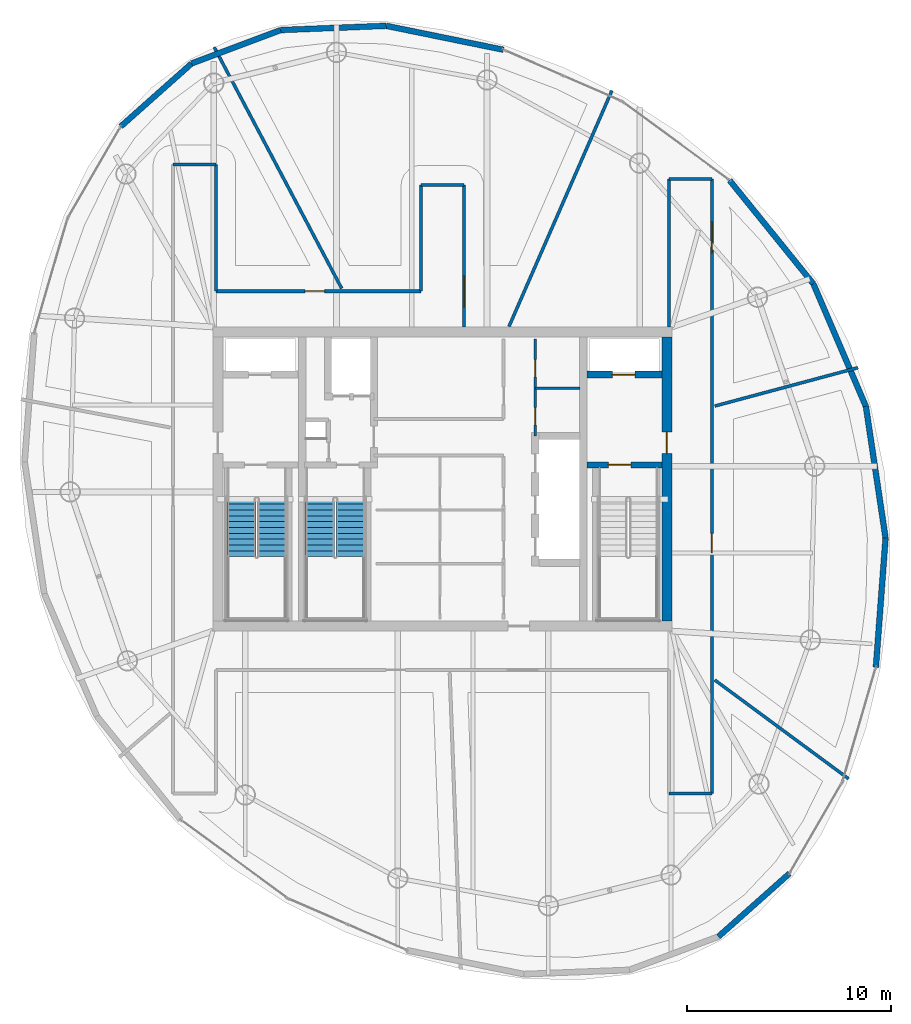
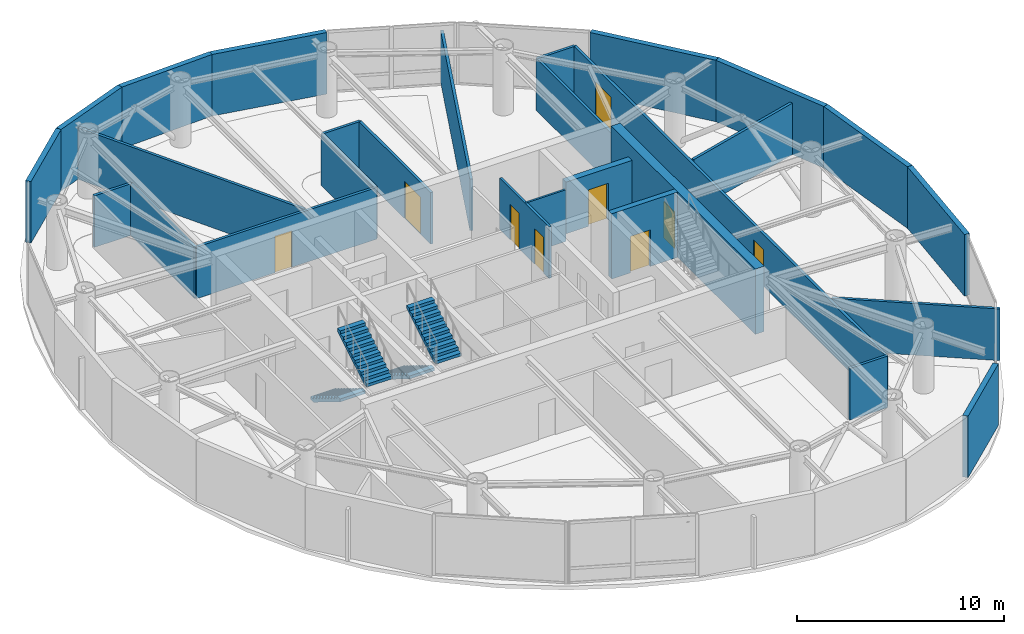
# One storey, part 16 of 20: 28 walls, 9 doors, 4 stair flights, 9 openings, 2 elements without a shape of their own.
"""IFC4 building model written with IfcOpenShell, lengths in metres."""

from ifc_helpers import new_model, si_unit, direction, frame, frame_2d, origin, place, context, subcontext, project, spatial, polyline, rectangle, outline, extrude, material, layer, layer_set, type_object, element, fill, aggregate, save


model = new_model("IFC4")

# Units and contexts
model_context = context("Model", 3, precision=1e-05, world=origin(), true_north=direction((0.0, 1.0)))
body_context = subcontext(model_context, "Body", "Model", "MODEL_VIEW")
ifc_project = project(units=[si_unit("LENGTHUNIT", "METRE"), si_unit("AREAUNIT", "SQUARE_METRE"), si_unit("VOLUMEUNIT", "CUBIC_METRE"), si_unit("PLANEANGLEUNIT", "RADIAN"), si_unit("MASSUNIT", "GRAM", prefix="KILO")], contexts=[model_context])

# Site, building, storey
site_placement = place(None, origin())
site = spatial("IfcSite", under=ifc_project, at=site_placement, CompositionType="ELEMENT")
building_placement = place(site_placement, origin())
building = spatial("IfcBuilding", under=site, at=building_placement, Name="Bramvorn Convention Spire", CompositionType="ELEMENT")
storey_placement = place(building_placement, frame((0.0, 0.0, 269.0)))
storey = spatial("IfcBuildingStorey", under=building, at=storey_placement, Name="L68", CompositionType="ELEMENT", Elevation=269.0)

# Wall, opening, door
ifc_material_1 = material(Name="Concrete C50/60", Category="concrete")
ifc_layer_1 = layer(ifc_material_1, 0.5)
ifc_layer_set_1 = layer_set([ifc_layer_1], Name="Concrete C50/60 - WL-CORE-500")
wall_type_1 = type_object("IfcWallType", Name="WL-CORE-500", PredefinedType="SHEAR", material=ifc_layer_set_1)
wall_1_placement = place(storey_placement, frame((49.0, 19.050048828125, 0.0), z_axis=(0.0, 0.0, 1.0), x_axis=(0.0, 1.0, 0.0)))
wall_1 = element("IfcWall", 1, at=wall_1_placement, inside=storey, type_object=wall_type_1, Name="L68 East RC core shear wall", PredefinedType="SHEAR", context=body_context, shape_type="SweptSolid", body=[
    extrude(rectangle(XDim=13.89990234375, YDim=0.5, at=frame_2d((6.949951171875, 0.0))), origin(), (0.0, 0.0, 1.0), 3.85009765625),
])
opening_1_placement = place(wall_1_placement, frame((8.199951171875, 0.0, 0.0)))
opening_1 = element("IfcOpeningElement", 2, at=opening_1_placement, cuts=wall_1, Name="Opening DL-105", PredefinedType="OPENING", context=body_context, shape_type="SweptSolid", body=[
    extrude(rectangle(XDim=1.050048828125, YDim=2.14990234375, at=frame_2d((0.52490234375, 1.074951171875))), frame((0.0, 0.260009765625, 0.0), z_axis=(0.0, -1.0, 0.0), x_axis=(1.0, 0.0, 0.0)), (0.0, 0.0, 1.0), 0.52001953125),
])
ifc_material_2 = material(Name="Smoke-Sealed Fire Lobby Timber-Core Door", Category="wood")
door_type_1 = type_object("IfcDoorType", Name="DR-LOBBY-1050", OperationType="NOTDEFINED", PredefinedType="DOOR", material=ifc_material_2)
door_1_placement = place(opening_1_placement, origin())
door_1 = element("IfcDoor", 3, at=door_1_placement, inside=storey, type_object=door_type_1, Name="L68 East Firefighting Lobby corridor door", OperationType="SINGLE_SWING_LEFT", OverallHeight=2.14990234375, OverallWidth=1.050048828125, PredefinedType="DOOR", context=body_context, shape_type="SweptSolid", body=[
    extrude(rectangle(XDim=1.050048828125, YDim=2.14990234375, at=frame_2d((0.52490234375, 1.074951171875))), frame((0.0, 0.02490234375, 0.0), z_axis=(0.0, -1.0, 0.0), x_axis=(1.0, 0.0, 0.0)), (0.0, 0.0, 1.0), 0.050048828125),
])
fill(opening_1, door_1)

ifc_layer_2 = layer(ifc_material_1, 0.35009765625)
ifc_layer_set_2 = layer_set([ifc_layer_2], Name="Concrete C50/60 - WL-CORE-INT-350")
wall_type_2 = type_object("IfcWallType", Name="WL-CORE-INT-350", PredefinedType="SHEAR", material=ifc_layer_set_2)
wall_2_placement = place(storey_placement, frame((45.080078125, 31.1201171875, 0.0), z_axis=(0.0, 0.0, 1.0), x_axis=(1.0, 0.0, 0.0)))
wall_2 = element("IfcWall", 4, at=wall_2_placement, inside=storey, type_object=wall_type_2, Name="L68 FE2 shaft front wall", PredefinedType="SHEAR", context=body_context, shape_type="SweptSolid", body=[
    extrude(rectangle(XDim=3.669921875, YDim=0.35009765625, at=frame_2d((1.8349609375, 0.0))), origin(), (0.0, 0.0, 1.0), 3.0400390625),
])
opening_2_placement = place(wall_2_placement, frame((1.25, 0.0, 0.0)))
opening_2 = element("IfcOpeningElement", 5, at=opening_2_placement, cuts=wall_2, Name="Opening LD-110", PredefinedType="OPENING", context=body_context, shape_type="SweptSolid", body=[
    extrude(rectangle(XDim=1.10009765625, YDim=2.14990234375, at=frame_2d((0.550048828125, 1.074951171875))), frame((0.0, 0.18505859375, 0.0), z_axis=(0.0, -1.0, 0.0), x_axis=(1.0, 0.0, 0.0)), (0.0, 0.0, 1.0), 0.3701171875),
])
ifc_material_3 = material(Name="Firefighting & Service Lift Sliding Landing Door", Category="steel")
door_type_2 = type_object("IfcDoorType", Name="DR-LIFT-LD-1100", OperationType="NOTDEFINED", PredefinedType="DOOR", material=ifc_material_3)
door_2_placement = place(opening_2_placement, origin())
door_2 = element("IfcDoor", 6, at=door_2_placement, inside=storey, type_object=door_type_2, Name="L68 Lift FE2 Sliding Landing Door", OperationType="SLIDING_TO_LEFT", OverallHeight=2.14990234375, OverallWidth=1.10009765625, PredefinedType="DOOR", context=body_context, shape_type="SweptSolid", body=[
    extrude(rectangle(XDim=1.10009765625, YDim=2.14990234375, at=frame_2d((0.550048828125, 1.074951171875))), frame((0.0, 0.02490234375, 0.0), z_axis=(0.0, -1.0, 0.0), x_axis=(1.0, 0.0, 0.0)), (0.0, 0.0, 1.0), 0.050048828125),
])
fill(opening_2, door_2)

# Walls
ifc_material_4 = material(Name="Precast Concrete C40/50 with Bronze Terracotta Rainscreen", Category="masonry")
ifc_layer_3 = layer(ifc_material_4, 0.300048828125)
ifc_layer_set_3 = layer_set([ifc_layer_3], Name="Precast Concrete C40/50 with Bronze Terracotta Rainscreen - WL-EXT-BRONZE-300")
wall_type_3 = type_object("IfcWallType", Name="WL-EXT-BRONZE-300", PredefinedType="SOLIDWALL", material=ifc_layer_set_3)
wall_3_placement = place(storey_placement, frame((54.998046875, 6.67333984375, 0.0), z_axis=(0.0, 0.0, 1.0), x_axis=(-0.747287659095, -0.664500680634, 0.0)))
element("IfcWall", 7, at=wall_3_placement, inside=storey, type_object=wall_type_3, Name="L68 expressed bronze Gothic lancet pier wall 01", PredefinedType="SOLIDWALL", context=body_context, shape_type="SweptSolid", body=[
    extrude(rectangle(XDim=4.650634765625, YDim=0.280029296875, at=frame_2d((2.3251953125, 0.0))), origin(), (0.0, 0.0, 1.0), 3.625),
])
wall_4_placement = place(storey_placement, frame((59.708984375, 23.107666015625, 0.0), z_axis=(0.0, 0.0, 1.0), x_axis=(-0.074604383592, -0.997213209875, 0.0)))
element("IfcWall", 8, at=wall_4_placement, inside=storey, type_object=wall_type_3, Name="L68 expressed bronze Gothic lancet pier wall 04", PredefinedType="SOLIDWALL", context=body_context, shape_type="SweptSolid", body=[
    extrude(rectangle(XDim=6.34521484375, YDim=0.280029296875, at=frame_2d((3.172607421875, 0.0))), origin(), (0.0, 0.0, 1.0), 3.625),
])
wall_5_placement = place(storey_placement, frame((58.7451171875, 29.562255859375, 0.0), z_axis=(0.0, 0.0, 1.0), x_axis=(0.147692842874, -0.989033277582, 0.0)))
element("IfcWall", 9, at=wall_5_placement, inside=storey, type_object=wall_type_3, Name="L68 expressed bronze Gothic lancet pier wall 05", PredefinedType="SOLIDWALL", context=body_context, shape_type="SweptSolid", body=[
    extrude(rectangle(XDim=6.526123046875, YDim=0.280029296875, at=frame_2d((3.26318359375, 0.0))), origin(), (0.0, 0.0, 1.0), 3.625),
])
for number, where, z_axis, x_axis, name in (
    (10, (56.171875, 35.560546875, 0.0), (0.0, 0.0, 1.0), (0.394248824312, -0.919003734774, 0.0), "L68 expressed bronze Gothic lancet pier wall 06"),
    (11, (52.066162109375, 40.63427734375, 0.0), (0.0, 0.0, 1.0), (0.629050798101, -0.777364196119, 0.0), "L68 expressed bronze Gothic lancet pier wall 07"),
):
    element("IfcWall", number, at=place(storey_placement, frame(where, z_axis=z_axis, x_axis=x_axis)), inside=storey, type_object=wall_type_3, Name=name, PredefinedType="SOLIDWALL", context=body_context, shape_type="SweptSolid", body=[
        extrude(rectangle(XDim=6.52685546875, YDim=0.280029296875, at=frame_2d((3.263427734375, 0.0))), origin(), (0.0, 0.0, 1.0), 3.625),
    ])
wall_6_placement = place(storey_placement, frame((35.246337890625, 48.2021484375, 0.0), z_axis=(0.0, 0.0, 1.0), x_axis=(0.979774562946, -0.200104487215, 0.0)))
element("IfcWall", 12, at=wall_6_placement, inside=storey, type_object=wall_type_3, Name="L68 expressed bronze Gothic lancet pier wall 10", PredefinedType="SOLIDWALL", context=body_context, shape_type="SweptSolid", body=[
    extrude(rectangle(XDim=5.85986328125, YDim=0.280029296875, at=frame_2d((2.929931640625, 0.0))), origin(), (0.0, 0.0, 1.0), 3.625),
])
wall_7_placement = place(storey_placement, frame((30.0712890625, 47.994873046875, 0.0), z_axis=(0.0, 0.0, 1.0), x_axis=(0.999198848892, 0.04002074929, 0.0)))
element("IfcWall", 13, at=wall_7_placement, inside=storey, type_object=wall_type_3, Name="L68 expressed bronze Gothic lancet pier wall 11", PredefinedType="SOLIDWALL", context=body_context, shape_type="SweptSolid", body=[
    extrude(rectangle(XDim=5.17919921875, YDim=0.280029296875, at=frame_2d((2.589599609375, 0.0))), origin(), (0.0, 0.0, 1.0), 3.625),
])
for number, where, z_axis, x_axis, name in (
    (14, (25.716796875, 46.362060546875, 0.0), (0.0, 0.0, 1.0), (0.936337806942, 0.351100429066, 0.0), "L68 expressed bronze Gothic lancet pier wall 12"),
    (15, (22.24169921875, 43.271484375, 0.0), (0.0, 0.0, 1.0), (0.747238408062, 0.664556063486, 0.0), "L68 expressed bronze Gothic lancet pier wall 13"),
):
    element("IfcWall", number, at=place(storey_placement, frame(where, z_axis=z_axis, x_axis=x_axis)), inside=storey, type_object=wall_type_3, Name=name, PredefinedType="SOLIDWALL", context=body_context, shape_type="SweptSolid", body=[
        extrude(rectangle(XDim=4.650634765625, YDim=0.280029296875, at=frame_2d((2.3251953125, 0.0))), origin(), (0.0, 0.0, 1.0), 3.625),
    ])
ifc_material_5 = material(Name="Lightweight En-Suite & Wet-Wall Partition", Category="gypsum")
ifc_layer_4 = layer(ifc_material_5, 0.110107421875)
ifc_layer_set_4 = layer_set([ifc_layer_4], Name="Lightweight En-Suite & Wet-Wall Partition - WL-PART-110")
wall_type_4 = type_object("IfcWallType", Name="WL-PART-110", PredefinedType="PARTITIONING", material=ifc_layer_set_4)
wall_8_placement = place(storey_placement, frame((42.550048828125, 30.449951171875, 0.0), z_axis=(0.0, 0.0, 1.0), x_axis=(1.0, 0.0, 0.0)))
element("IfcWall", 16, at=wall_8_placement, inside=storey, type_object=wall_type_4, Name="L68 KB NE divider", PredefinedType="PARTITIONING", context=body_context, shape_type="SweptSolid", body=[
    extrude(rectangle(XDim=2.199951171875, YDim=0.110107421875, at=frame_2d((1.10009765625, 0.0))), origin(), (0.0, 0.0, 1.0), 3.0400390625),
])

# Wall, openings, doors
ifc_material_6 = material(Name="Metal-Stud Demountable Office Partition", Category="gypsum")
ifc_layer_5 = layer(ifc_material_6, 0.1298828125)
ifc_layer_set_5 = layer_set([ifc_layer_5], Name="Metal-Stud Demountable Office Partition - WL-PART-130")
wall_type_5 = type_object("IfcWallType", Name="WL-PART-130", PredefinedType="PARTITIONING", material=ifc_layer_set_5)
wall_9_placement = place(storey_placement, frame((42.550048828125, 28.10009765625, 0.0), z_axis=(0.0, 0.0, 1.0), x_axis=(0.0, 1.0, 0.0)))
wall_9 = element("IfcWall", 17, at=wall_9_placement, inside=storey, type_object=wall_type_5, Name="L68 KB NE split wall", PredefinedType="PARTITIONING", context=body_context, shape_type="SweptSolid", body=[
    extrude(rectangle(XDim=4.75, YDim=0.1298828125, at=frame_2d((2.375, 0.0))), origin(), (0.0, 0.0, 1.0), 3.0400390625),
])
opening_3_placement = place(wall_9_placement, frame((0.550048828125, 0.0, 0.0)))
opening_3 = element("IfcOpeningElement", 18, at=opening_3_placement, cuts=wall_9, Name="Opening DC-085", PredefinedType="OPENING", context=body_context, shape_type="SweptSolid", body=[
    extrude(rectangle(XDim=0.85009765625, YDim=2.10009765625, at=frame_2d((0.425048828125, 1.050048828125))), frame((0.0, 0.074951171875, 0.0), z_axis=(0.0, -1.0, 0.0), x_axis=(1.0, 0.0, 0.0)), (0.0, 0.0, 1.0), 0.14990234375),
])
opening_4_placement = place(wall_9_placement, frame((2.89990234375, 0.0, 0.0)))
opening_4 = element("IfcOpeningElement", 19, at=opening_4_placement, cuts=wall_9, Name="Opening DC-085", PredefinedType="OPENING", context=body_context, shape_type="SweptSolid", body=[
    extrude(rectangle(XDim=0.85009765625, YDim=2.10009765625, at=frame_2d((0.425048828125, 1.050048828125))), frame((0.0, 0.074951171875, 0.0), z_axis=(0.0, -1.0, 0.0), x_axis=(1.0, 0.0, 0.0)), (0.0, 0.0, 1.0), 0.14990234375),
])
ifc_material_7 = material(Name="Fire-Rated Core Washroom & IDF Door", Category="wood")
door_type_3 = type_object("IfcDoorType", Name="DR-CORE-850", OperationType="NOTDEFINED", PredefinedType="DOOR", material=ifc_material_7)
door_3_placement = place(opening_3_placement, origin())
door_3 = element("IfcDoor", 20, at=door_3_placement, inside=storey, type_object=door_type_3, Name="L68 Core Staff WC door", OperationType="SINGLE_SWING_LEFT", OverallHeight=2.10009765625, OverallWidth=0.85009765625, PredefinedType="DOOR", context=body_context, shape_type="SweptSolid", body=[
    extrude(rectangle(XDim=0.85009765625, YDim=2.10009765625, at=frame_2d((0.425048828125, 1.050048828125))), frame((0.0, 0.02490234375, 0.0), z_axis=(0.0, -1.0, 0.0), x_axis=(1.0, 0.0, 0.0)), (0.0, 0.0, 1.0), 0.050048828125),
])
fill(opening_3, door_3)
door_4_placement = place(opening_4_placement, origin())
door_4 = element("IfcDoor", 21, at=door_4_placement, inside=storey, type_object=door_type_3, Name="L68 Core Data Closet door", OperationType="SINGLE_SWING_LEFT", OverallHeight=2.10009765625, OverallWidth=0.85009765625, PredefinedType="DOOR", context=body_context, shape_type="SweptSolid", body=[
    extrude(rectangle(XDim=0.85009765625, YDim=2.10009765625, at=frame_2d((0.425048828125, 1.050048828125))), frame((0.0, 0.02490234375, 0.0), z_axis=(0.0, -1.0, 0.0), x_axis=(1.0, 0.0, 0.0)), (0.0, 0.0, 1.0), 0.050048828125),
])
fill(opening_4, door_4)

# Wall, opening, door
ifc_material_8 = material(Name="Acoustic Metal-Stud Tenant/Corridor Partition", Category="gypsum")
ifc_layer_6 = layer(ifc_material_8, 0.14990234375)
ifc_layer_set_6 = layer_set([ifc_layer_6], Name="Acoustic Metal-Stud Tenant/Corridor Partition - WL-PART-150")
wall_type_6 = type_object("IfcWallType", Name="WL-PART-150", PredefinedType="PARTITIONING", material=ifc_layer_set_6)
wall_10_placement = place(storey_placement, frame((26.89990234375, 35.199951171875, 0.0), z_axis=(0.0, 0.0, 1.0), x_axis=(1.0, 0.0, 0.0)))
wall_10 = element("IfcWall", 22, at=wall_10_placement, inside=storey, type_object=wall_type_6, Name="L68 North-west spur link wall", PredefinedType="PARTITIONING", context=body_context, shape_type="SweptSolid", body=[
    extrude(rectangle(XDim=10.050048828125, YDim=0.14990234375, at=frame_2d((5.02490234375, 0.0))), origin(), (0.0, 0.0, 1.0), 3.0400390625),
])
opening_5_placement = place(wall_10_placement, frame((4.3779296875, 0.0, 0.0)))
opening_5 = element("IfcOpeningElement", 23, at=opening_5_placement, cuts=wall_10, Name="Opening DH-095", PredefinedType="OPENING", context=body_context, shape_type="SweptSolid", body=[
    extrude(rectangle(XDim=0.949951171875, YDim=2.14990234375, at=frame_2d((0.47509765625, 1.074951171875))), frame((0.0, 0.0849609375, 0.0), z_axis=(0.0, -1.0, 0.0), x_axis=(1.0, 0.0, 0.0)), (0.0, 0.0, 1.0), 0.169921875),
])
ifc_material_9 = material(Name="Solid-Core Acoustic Guestroom Entry Door", Category="wood")
door_type_4 = type_object("IfcDoorType", Name="DR-HOTEL-950", OperationType="NOTDEFINED", PredefinedType="DOOR", material=ifc_material_9)
door_5_placement = place(opening_5_placement, origin())
door_5 = element("IfcDoor", 24, at=door_5_placement, inside=storey, type_object=door_type_4, Name="L68 Butler Catering Kitchen 3 door", OperationType="SINGLE_SWING_LEFT", OverallHeight=2.14990234375, OverallWidth=0.949951171875, PredefinedType="DOOR", context=body_context, shape_type="SweptSolid", body=[
    extrude(rectangle(XDim=0.949951171875, YDim=2.14990234375, at=frame_2d((0.47509765625, 1.074951171875))), frame((0.0, 0.02490234375, 0.0), z_axis=(0.0, -1.0, 0.0), x_axis=(1.0, 0.0, 0.0)), (0.0, 0.0, 1.0), 0.050048828125),
])
fill(opening_5, door_5)

# Walls
wall_11_placement = place(storey_placement, frame((26.89990234375, 35.199951171875, 0.0), z_axis=(0.0, 0.0, 1.0), x_axis=(0.0, 1.0, 0.0)))
element("IfcWall", 25, at=wall_11_placement, inside=storey, type_object=wall_type_6, Name="L68 West gallery NE wall", PredefinedType="PARTITIONING", context=body_context, shape_type="SweptSolid", body=[
    extrude(rectangle(XDim=6.199951171875, YDim=0.14990234375, at=frame_2d((3.10009765625, 0.0))), origin(), (0.0, 0.0, 1.0), 3.0400390625),
])
wall_12_placement = place(storey_placement, frame((24.800048828125, 41.39990234375, 0.0), z_axis=(0.0, 0.0, 1.0), x_axis=(1.0, 0.0, 0.0)))
element("IfcWall", 26, at=wall_12_placement, inside=storey, type_object=wall_type_6, Name="L68 West gallery north end", PredefinedType="PARTITIONING", context=body_context, shape_type="SweptSolid", body=[
    extrude(rectangle(XDim=2.099853515625, YDim=0.14990234375, at=frame_2d((1.0498046875, 0.0))), origin(), (0.0, 0.0, 1.0), 3.0400390625),
])

# Wall, openings, doors
wall_13_placement = place(storey_placement, frame((51.199951171875, 10.60009765625, 0.0), z_axis=(0.0, 0.0, 1.0), x_axis=(0.0, 1.0, 0.0)))
wall_13 = element("IfcWall", 27, at=wall_13_placement, inside=storey, type_object=wall_type_6, Name="L68 East N-S gallery outer wall", PredefinedType="PARTITIONING", context=body_context, shape_type="SweptSolid", body=[
    extrude(rectangle(XDim=30.103515625, YDim=0.14990234375, at=frame_2d((15.0517578125, 0.0))), origin(), (0.0, 0.0, 1.0), 3.0400390625),
])
opening_6_placement = place(wall_13_placement, frame((26.49609375, 0.0, 0.0)))
opening_6 = element("IfcOpeningElement", 28, at=opening_6_placement, cuts=wall_13, Name="Opening DC-150", PredefinedType="OPENING", context=body_context, shape_type="SweptSolid", body=[
    extrude(rectangle(XDim=1.5, YDim=2.199951171875, at=frame_2d((0.75, 1.10009765625))), frame((0.0, 0.0849609375, 0.0), z_axis=(0.0, -1.0, 0.0), x_axis=(1.0, 0.0, 0.0)), (0.0, 0.0, 1.0), 0.169921875),
])
opening_7_placement = place(wall_13_placement, frame((11.787841796875, 0.0, 0.0)))
opening_7 = element("IfcOpeningElement", 29, at=opening_7_placement, cuts=wall_13, Name="Opening DH-095", PredefinedType="OPENING", context=body_context, shape_type="SweptSolid", body=[
    extrude(rectangle(XDim=0.949951171875, YDim=2.14990234375, at=frame_2d((0.47509765625, 1.074951171875))), frame((0.0, 0.0849609375, 0.0), z_axis=(0.0, -1.0, 0.0), x_axis=(1.0, 0.0, 0.0)), (0.0, 0.0, 1.0), 0.169921875),
])
ifc_material_10 = material(Name="Double-Leaf Smoke-Control Corridor Door", Category="wood")
door_type_5 = type_object("IfcDoorType", Name="DR-COR-1500", OperationType="NOTDEFINED", PredefinedType="DOOR", material=ifc_material_10)
door_6_placement = place(opening_6_placement, origin())
door_6 = element("IfcDoor", 30, at=door_6_placement, inside=storey, type_object=door_type_5, Name="L68 Executive Dining Salon 1 1 door", OperationType="DOUBLE_DOOR_SINGLE_SWING", OverallHeight=2.199951171875, OverallWidth=1.5, PredefinedType="DOOR", context=body_context, shape_type="SweptSolid", body=[
    extrude(rectangle(XDim=1.5, YDim=2.199951171875, at=frame_2d((0.75, 1.10009765625))), frame((0.0, 0.02490234375, 0.0), z_axis=(0.0, -1.0, 0.0), x_axis=(1.0, 0.0, 0.0)), (0.0, 0.0, 1.0), 0.050048828125),
])
fill(opening_6, door_6)
door_7_placement = place(opening_7_placement, origin())
door_7 = element("IfcDoor", 31, at=door_7_placement, inside=storey, type_object=door_type_4, Name="L68 Executive Strategy Suite 7 door", OperationType="SINGLE_SWING_RIGHT", OverallHeight=2.14990234375, OverallWidth=0.949951171875, PredefinedType="DOOR", context=body_context, shape_type="SweptSolid", body=[
    extrude(rectangle(XDim=0.949951171875, YDim=2.14990234375, at=frame_2d((0.47509765625, 1.074951171875))), frame((0.0, 0.02490234375, 0.0), z_axis=(0.0, -1.0, 0.0), x_axis=(1.0, 0.0, 0.0)), (0.0, 0.0, 1.0), 0.050048828125),
])
fill(opening_7, door_7)

# Walls
wall_14_placement = place(storey_placement, frame((49.10009765625, 33.449951171875, 0.0), z_axis=(0.0, 0.0, 1.0), x_axis=(0.0, 1.0, 0.0)))
element("IfcWall", 32, at=wall_14_placement, inside=storey, type_object=wall_type_6, Name="L68 East gallery NW wall", PredefinedType="PARTITIONING", context=body_context, shape_type="SweptSolid", body=[
    extrude(rectangle(XDim=7.253662109375, YDim=0.14990234375, at=frame_2d((3.626953125, 0.0))), origin(), (0.0, 0.0, 1.0), 3.0400390625),
])
for number, where, z_axis, x_axis, name in (
    (33, (49.10009765625, 10.60009765625, 0.0), (0.0, 0.0, 1.0), (1.0, 0.0, 0.0), "L68 East gallery south end"),
    (34, (49.10009765625, 40.70361328125, 0.0), (0.0, 0.0, 1.0), (1.0, 0.0, 0.0), "L68 East gallery north end"),
):
    element("IfcWall", number, at=place(storey_placement, frame(where, z_axis=z_axis, x_axis=x_axis)), inside=storey, type_object=wall_type_6, Name=name, PredefinedType="PARTITIONING", context=body_context, shape_type="SweptSolid", body=[
        extrude(rectangle(XDim=2.099853515625, YDim=0.14990234375, at=frame_2d((1.0498046875, 0.0))), origin(), (0.0, 0.0, 1.0), 3.0400390625),
    ])
wall_15_placement = place(storey_placement, frame((36.949951171875, 35.199951171875, 0.0), z_axis=(0.0, 0.0, 1.0), x_axis=(0.0, 1.0, 0.0)))
element("IfcWall", 35, at=wall_15_placement, inside=storey, type_object=wall_type_6, Name="L68 North spur west wall", PredefinedType="PARTITIONING", context=body_context, shape_type="SweptSolid", body=[
    extrude(rectangle(XDim=5.199951171875, YDim=0.14990234375, at=frame_2d((2.60009765625, 0.0))), origin(), (0.0, 0.0, 1.0), 3.0400390625),
])

# Wall, opening, door
wall_16_placement = place(storey_placement, frame((39.050048828125, 33.449951171875, 0.0), z_axis=(0.0, 0.0, 1.0), x_axis=(0.0, 1.0, 0.0)))
wall_16 = element("IfcWall", 36, at=wall_16_placement, inside=storey, type_object=wall_type_6, Name="L68 North spur east wall", PredefinedType="PARTITIONING", context=body_context, shape_type="SweptSolid", body=[
    extrude(rectangle(XDim=6.949951171875, YDim=0.14990234375, at=frame_2d((3.47509765625, 0.0))), origin(), (0.0, 0.0, 1.0), 3.0400390625),
])
opening_8_placement = place(wall_16_placement, frame((0.987548828125, 0.0, 0.0)))
opening_8 = element("IfcOpeningElement", 37, at=opening_8_placement, cuts=wall_16, Name="Opening DC-150", PredefinedType="OPENING", context=body_context, shape_type="SweptSolid", body=[
    extrude(rectangle(XDim=1.5, YDim=2.199951171875, at=frame_2d((0.75, 1.10009765625))), frame((0.0, 0.0849609375, 0.0), z_axis=(0.0, -1.0, 0.0), x_axis=(1.0, 0.0, 0.0)), (0.0, 0.0, 1.0), 0.169921875),
])
door_8_placement = place(opening_8_placement, origin())
door_8 = element("IfcDoor", 38, at=door_8_placement, inside=storey, type_object=door_type_5, Name="L68 Executive Dining Salon 2 2 door", OperationType="DOUBLE_DOOR_SINGLE_SWING", OverallHeight=2.199951171875, OverallWidth=1.5, PredefinedType="DOOR", context=body_context, shape_type="SweptSolid", body=[
    extrude(rectangle(XDim=1.5, YDim=2.199951171875, at=frame_2d((0.75, 1.10009765625))), frame((0.0, 0.02490234375, 0.0), z_axis=(0.0, -1.0, 0.0), x_axis=(1.0, 0.0, 0.0)), (0.0, 0.0, 1.0), 0.050048828125),
])
fill(opening_8, door_8)

# Walls
wall_17_placement = place(storey_placement, frame((36.949951171875, 40.39990234375, 0.0), z_axis=(0.0, 0.0, 1.0), x_axis=(1.0, 0.0, 0.0)))
element("IfcWall", 39, at=wall_17_placement, inside=storey, type_object=wall_type_6, Name="L68 North spur end wall", PredefinedType="PARTITIONING", context=body_context, shape_type="SweptSolid", body=[
    extrude(rectangle(XDim=2.10009765625, YDim=0.14990234375, at=frame_2d((1.050048828125, 0.0))), origin(), (0.0, 0.0, 1.0), 3.0400390625),
])
wall_18_placement = place(storey_placement, frame((51.340087890625, 29.574462890625, 0.0), z_axis=(0.0, 0.0, 1.0), x_axis=(0.96592722136, 0.258813838569, 0.0)))
element("IfcWall", 40, at=wall_18_placement, inside=storey, type_object=wall_type_6, Name="L68 Tenant suite partition 1", PredefinedType="PARTITIONING", context=body_context, shape_type="SweptSolid", body=[
    extrude(rectangle(XDim=7.27197265625, YDim=0.14990234375, at=frame_2d((3.635986328125, 0.0))), origin(), (0.0, 0.0, 1.0), 3.0400390625),
])
wall_19_placement = place(storey_placement, frame((41.259033203125, 33.469970703125, 0.0), z_axis=(0.0, 0.0, 1.0), x_axis=(0.399896869604, 0.916560141879, 0.0)))
element("IfcWall", 41, at=wall_19_placement, inside=storey, type_object=wall_type_6, Name="L68 Tenant suite partition 2", PredefinedType="PARTITIONING", context=body_context, shape_type="SweptSolid", body=[
    extrude(rectangle(XDim=12.6162109375, YDim=0.14990234375, at=frame_2d((6.30810546875, 0.0))), origin(), (0.0, 0.0, 1.0), 3.0400390625),
])
wall_20_placement = place(storey_placement, frame((33.063720703125, 35.340087890625, 0.0), z_axis=(0.0, 0.0, 1.0), x_axis=(-0.467283891031, 0.884107326733, 0.0)))
element("IfcWall", 42, at=wall_20_placement, inside=storey, type_object=wall_type_6, Name="L68 Tenant suite partition 3", PredefinedType="PARTITIONING", context=body_context, shape_type="SweptSolid", body=[
    extrude(rectangle(XDim=13.377685546875, YDim=0.14990234375, at=frame_2d((6.68896484375, 0.0))), origin(), (0.0, 0.0, 1.0), 3.0400390625),
])
wall_21_placement = place(storey_placement, frame((51.340087890625, 16.154541015625, 0.0), z_axis=(0.0, 0.0, 1.0), x_axis=(0.804595515119, -0.593823254049, 0.0)))
element("IfcWall", 43, at=wall_21_placement, inside=storey, type_object=wall_type_6, Name="L68 Tenant suite partition 7", PredefinedType="PARTITIONING", context=body_context, shape_type="SweptSolid", body=[
    extrude(rectangle(XDim=8.16259765625, YDim=0.14990234375, at=frame_2d((4.081298828125, 0.0))), origin(), (0.0, 0.0, 1.0), 3.0400390625),
])

# Wall, opening, door
ifc_layer_7 = layer(ifc_material_1, 0.300048828125)
ifc_layer_set_7 = layer_set([ifc_layer_7], Name="Concrete C50/60 - WL-POD-STAIR-300")
wall_type_7 = type_object("IfcWallType", Name="WL-POD-STAIR-300", PredefinedType="SHEAR", material=ifc_layer_set_7)
wall_22_placement = place(storey_placement, frame((45.080078125, 26.68994140625, 0.0), z_axis=(0.0, 0.0, 1.0), x_axis=(1.0, 0.0, 0.0)))
wall_22 = element("IfcWall", 44, at=wall_22_placement, inside=storey, type_object=wall_type_7, Name="L68 ST2 north fire wall", PredefinedType="SHEAR", context=body_context, shape_type="SweptSolid", body=[
    extrude(rectangle(XDim=3.669921875, YDim=0.300048828125, at=frame_2d((1.8349609375, 0.0))), origin(), (0.0, 0.0, 1.0), 3.85009765625),
])
opening_9_placement = place(wall_22_placement, frame((1.050048828125, 0.0, 0.0)))
opening_9 = element("IfcOpeningElement", 45, at=opening_9_placement, cuts=wall_22, Name="Opening DS-110", PredefinedType="OPENING", context=body_context, shape_type="SweptSolid", body=[
    extrude(rectangle(XDim=1.10009765625, YDim=2.14990234375, at=frame_2d((0.550048828125, 1.074951171875))), frame((0.0, 0.159912109375, 0.0), z_axis=(0.0, -1.0, 0.0), x_axis=(1.0, 0.0, 0.0)), (0.0, 0.0, 1.0), 0.320068359375),
])
ifc_material_11 = material(Name="Fire-Rated Hollow Steel Stairwell Door", Category="steel")
door_type_6 = type_object("IfcDoorType", Name="DR-STAIR-1100", OperationType="NOTDEFINED", PredefinedType="DOOR", material=ifc_material_11)
door_9_placement = place(opening_9_placement, origin())
door_9 = element("IfcDoor", 46, at=door_9_placement, inside=storey, type_object=door_type_6, Name="L68 Stair ST2 fire door", OperationType="SINGLE_SWING_RIGHT", OverallHeight=2.14990234375, OverallWidth=1.10009765625, PredefinedType="DOOR", context=body_context, shape_type="SweptSolid", body=[
    extrude(rectangle(XDim=1.10009765625, YDim=2.14990234375, at=frame_2d((0.550048828125, 1.074951171875))), frame((0.0, 0.02490234375, 0.0), z_axis=(0.0, -1.0, 0.0), x_axis=(1.0, 0.0, 0.0)), (0.0, 0.0, 1.0), 0.050048828125),
])
fill(opening_9, door_9)

# Stair, stair flights
ifc_material_12 = material(Name="Concrete C40/50 Precast Stair", Category="concrete")
stair_type = type_object("IfcStairType", Name="ST-TOWER-1550", PredefinedType="HALF_TURN_STAIR", material=ifc_material_12)
stair_1_placement = place(storey_placement, origin())
stair_1 = element("IfcStair", 47, at=stair_1_placement, inside=storey, type_object=stair_type, Name="L68 Protected Exit Stair ST1", PredefinedType="HALF_TURN_STAIR")
ifc_material_13 = material(Name="Concrete C40/50 Precast Stair Flight", Category="concrete")
stair_flight_type = type_object("IfcStairFlightType", Name="STF-TOWER-1550", PredefinedType="STRAIGHT", material=ifc_material_13)
stair_flight_1_placement = place(storey_placement, frame((28.155029296875, 25.050048828125, 0.0), z_axis=(0.0, 0.0, 1.0), x_axis=(0.0, -1.0, 0.0)))
stair_flight_1 = element("IfcStairFlight", 48, at=stair_flight_1_placement, type_object=stair_flight_type, Name="ST1 flight 1", NumberOfRisers=11, NumberOfTreads=10, PredefinedType="STRAIGHT", RiserHeight=0.175, TreadLength=0.285, context=body_context, shape_type="SweptSolid", body=[
    extrude(outline(polyline([(0.0, 0.0), (0.0, 0.175048828125), (0.284912109375, 0.175048828125), (0.284912109375, 0.35009765625), (0.570068359375, 0.35009765625), (0.570068359375, 0.52490234375), (0.85498046875, 0.52490234375), (0.85498046875, 0.699951171875), (1.139892578125, 0.699951171875), (1.139892578125, 0.875), (1.425048828125, 0.875), (1.425048828125, 1.050048828125), (1.7099609375, 1.050048828125), (1.7099609375, 1.22509765625), (1.9951171875, 1.22509765625), (1.9951171875, 1.39990234375), (2.280029296875, 1.39990234375), (2.280029296875, 1.574951171875), (2.56494140625, 1.574951171875), (2.56494140625, 1.75), (2.85009765625, 1.75), (2.85009765625, 1.925048828125), (2.85009765625, 1.573974609375), (0.286376953125, 0.0), (0.0, 0.0)])), frame((0.0, 0.705078125, 0.0), z_axis=(0.0, -1.0, 0.0), x_axis=(1.0, 0.0, 0.0)), (0.0, 0.0, 1.0), 1.409912109375),
])
stair_flight_2_placement = place(storey_placement, frame((29.64501953125, 22.199951171875, 1.925048828125), z_axis=(0.0, 0.0, 1.0), x_axis=(0.0, 1.0, 0.0)))
stair_flight_2 = element("IfcStairFlight", 49, at=stair_flight_2_placement, type_object=stair_flight_type, Name="ST1 flight 2", NumberOfRisers=11, NumberOfTreads=10, PredefinedType="STRAIGHT", RiserHeight=0.175, TreadLength=0.285, context=body_context, shape_type="SweptSolid", body=[
    extrude(outline(polyline([(0.0, 0.0), (0.0, 0.175048828125), (0.284912109375, 0.175048828125), (0.284912109375, 0.35009765625), (0.570068359375, 0.35009765625), (0.570068359375, 0.52490234375), (0.85498046875, 0.52490234375), (0.85498046875, 0.699951171875), (1.139892578125, 0.699951171875), (1.139892578125, 0.875), (1.425048828125, 0.875), (1.425048828125, 1.050048828125), (1.7099609375, 1.050048828125), (1.7099609375, 1.22509765625), (1.9951171875, 1.22509765625), (1.9951171875, 1.39990234375), (2.280029296875, 1.39990234375), (2.280029296875, 1.574951171875), (2.56494140625, 1.574951171875), (2.56494140625, 1.75), (2.85009765625, 1.75), (2.85009765625, 1.925048828125), (2.85009765625, 1.573974609375), (0.286376953125, 0.0), (0.0, 0.0)])), frame((0.0, 0.705078125, 0.0), z_axis=(0.0, -1.0, 0.0), x_axis=(1.0, 0.0, 0.0)), (0.0, 0.0, 1.0), 1.409912109375),
])
aggregate(stair_1, [stair_flight_1, stair_flight_2])

stair_2_placement = place(storey_placement, origin())
stair_2 = element("IfcStair", 50, at=stair_2_placement, inside=storey, type_object=stair_type, Name="L68 Protected Exit Stair ST3", PredefinedType="HALF_TURN_STAIR")
stair_flight_3_placement = place(storey_placement, frame((32.0048828125, 25.050048828125, 0.0), z_axis=(0.0, 0.0, 1.0), x_axis=(0.0, -1.0, 0.0)))
stair_flight_3 = element("IfcStairFlight", 51, at=stair_flight_3_placement, type_object=stair_flight_type, Name="ST3 flight 1", NumberOfRisers=11, NumberOfTreads=10, PredefinedType="STRAIGHT", RiserHeight=0.175, TreadLength=0.285, context=body_context, shape_type="SweptSolid", body=[
    extrude(outline(polyline([(0.0, 0.0), (0.0, 0.175048828125), (0.284912109375, 0.175048828125), (0.284912109375, 0.35009765625), (0.570068359375, 0.35009765625), (0.570068359375, 0.52490234375), (0.85498046875, 0.52490234375), (0.85498046875, 0.699951171875), (1.139892578125, 0.699951171875), (1.139892578125, 0.875), (1.425048828125, 0.875), (1.425048828125, 1.050048828125), (1.7099609375, 1.050048828125), (1.7099609375, 1.22509765625), (1.9951171875, 1.22509765625), (1.9951171875, 1.39990234375), (2.280029296875, 1.39990234375), (2.280029296875, 1.574951171875), (2.56494140625, 1.574951171875), (2.56494140625, 1.75), (2.85009765625, 1.75), (2.85009765625, 1.925048828125), (2.85009765625, 1.573974609375), (0.286376953125, 0.0), (0.0, 0.0)])), frame((0.0, 0.705078125, 0.0), z_axis=(0.0, -1.0, 0.0), x_axis=(1.0, 0.0, 0.0)), (0.0, 0.0, 1.0), 1.409912109375),
])
stair_flight_4_placement = place(storey_placement, frame((33.4951171875, 22.199951171875, 1.925048828125), z_axis=(0.0, 0.0, 1.0), x_axis=(0.0, 1.0, 0.0)))
stair_flight_4 = element("IfcStairFlight", 52, at=stair_flight_4_placement, type_object=stair_flight_type, Name="ST3 flight 2", NumberOfRisers=11, NumberOfTreads=10, PredefinedType="STRAIGHT", RiserHeight=0.175, TreadLength=0.285, context=body_context, shape_type="SweptSolid", body=[
    extrude(outline(polyline([(0.0, 0.0), (0.0, 0.175048828125), (0.284912109375, 0.175048828125), (0.284912109375, 0.35009765625), (0.570068359375, 0.35009765625), (0.570068359375, 0.52490234375), (0.85498046875, 0.52490234375), (0.85498046875, 0.699951171875), (1.139892578125, 0.699951171875), (1.139892578125, 0.875), (1.425048828125, 0.875), (1.425048828125, 1.050048828125), (1.7099609375, 1.050048828125), (1.7099609375, 1.22509765625), (1.9951171875, 1.22509765625), (1.9951171875, 1.39990234375), (2.280029296875, 1.39990234375), (2.280029296875, 1.574951171875), (2.56494140625, 1.574951171875), (2.56494140625, 1.75), (2.85009765625, 1.75), (2.85009765625, 1.925048828125), (2.85009765625, 1.573974609375), (0.286376953125, 0.0), (0.0, 0.0)])), frame((0.0, 0.705078125, 0.0), z_axis=(0.0, -1.0, 0.0), x_axis=(1.0, 0.0, 0.0)), (0.0, 0.0, 1.0), 1.409912109375),
])
aggregate(stair_2, [stair_flight_3, stair_flight_4])

save(model, "model.ifc")
